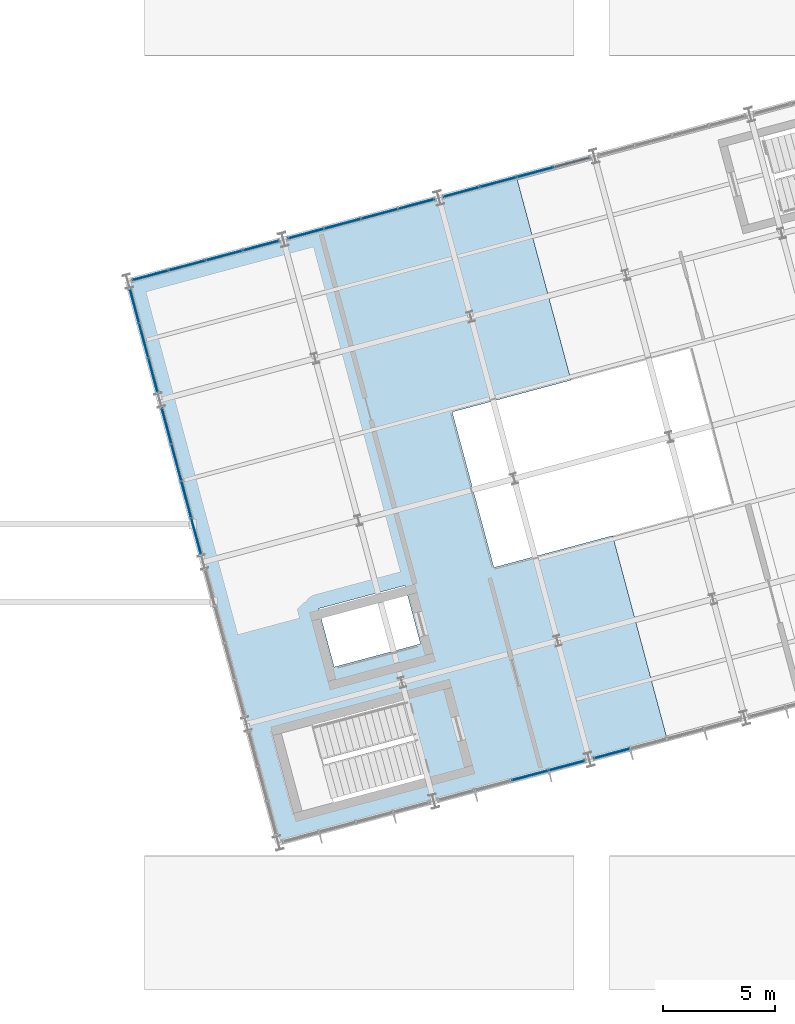
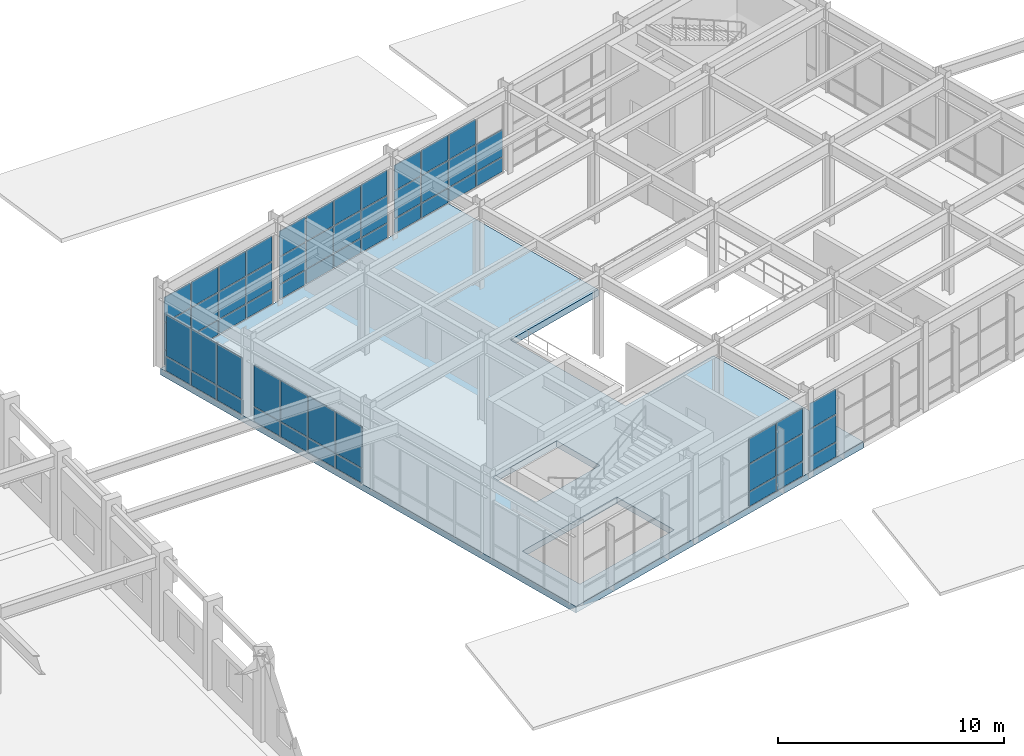
# One storey, part 74 of 104: 58 plates, 1 slab, 7 elements without a shape of their own.
"""IFC4 building model written with IfcOpenShell, lengths in metres."""

from ifc_helpers import new_model, si_unit, direction, frame, origin, origin_2d, place, context, subcontext, project, spatial, polyline, rectangle, outline, extrude, material, layer, layer_set, type_object, element, aggregate, save


model = new_model("IFC4")

# Units and contexts
model_context = context("Model", 3, precision=1e-05, world=origin(), true_north=direction((0.0, 1.0)))
body_context = subcontext(model_context, "Body", "Model", "MODEL_VIEW")
ifc_project = project(units=[si_unit("LENGTHUNIT", "METRE"), si_unit("AREAUNIT", "SQUARE_METRE"), si_unit("VOLUMEUNIT", "CUBIC_METRE"), si_unit("PLANEANGLEUNIT", "RADIAN"), si_unit("MASSUNIT", "GRAM", prefix="KILO")], contexts=[model_context])

# Site, building, storey
site_placement = place(None, origin())
site = spatial("IfcSite", under=ifc_project, at=site_placement, CompositionType="ELEMENT")
building_placement = place(site_placement, origin())
building = spatial("IfcBuilding", under=site, at=building_placement, Name="Ventoquebrada Cableway Terminal", CompositionType="ELEMENT")
storey_placement = place(building_placement, frame((0.0, 0.0, 4.800048828125)))
storey = spatial("IfcBuildingStorey", under=building, at=storey_placement, Name="L01", CompositionType="ELEMENT", Elevation=4.800048828125)

# Curtain wall, plates
ifc_material_1 = material(Name="Anodized thermally-broken aluminium", Category="aluminium")
ifc_layer_1 = layer(ifc_material_1, 0.159912109375)
ifc_layer_set_1 = layer_set([ifc_layer_1], Name="Anodized thermally-broken aluminium")
curtain_wall_type_1 = type_object("IfcCurtainWallType", Name="CW-T37", PredefinedType="USERDEFINED", material=ifc_layer_set_1)
curtain_wall_1_placement = place(storey_placement, origin())
curtain_wall_1 = element("IfcCurtainWall", 1, at=curtain_wall_1_placement, inside=storey, type_object=curtain_wall_type_1, Name="Unitised glazed curtain wall CW-084", ObjectType="UNITISED CURTAIN WALL", PredefinedType="USERDEFINED")
ifc_material_2 = material(Name="Double low-e laminated safety glazing", Category="glass")
ifc_layer_2 = layer(ifc_material_2, 0.031982421875)
ifc_layer_set_2 = layer_set([ifc_layer_2], Name="Double low-e laminated safety glazing")
plate_type_1 = type_object("IfcPlateType", Name="CWP-GL1", PredefinedType="CURTAIN_PANEL", material=ifc_layer_set_2)
plate_1_placement = place(storey_placement, frame((63.239013671875, 72.802001953125, 2.369384765625), z_axis=(0.0, 0.0, 1.0), x_axis=(0.965961954829, 0.258684173892, 0.0)))
plate_1 = element("IfcPlate", 2, at=plate_1_placement, type_object=plate_type_1, Name="Vision glazing panel PN-0891", PredefinedType="CURTAIN_PANEL", context=body_context, shape_type="SweptSolid", body=[
    extrude(rectangle(XDim=1.666015625, YDim=0.031982421875, at=origin_2d()), origin(), (0.0, 0.0, 1.0), 1.35302734375),
])
plate_2_placement = place(storey_placement, frame((64.87890625, 73.239990234375, 0.8740234375), z_axis=(0.0, 0.0, 1.0), x_axis=(0.965961954829, 0.258684173892, 0.0)))
plate_2 = element("IfcPlate", 3, at=plate_2_placement, type_object=plate_type_1, Name="Vision glazing panel PN-0893", PredefinedType="CURTAIN_PANEL", context=body_context, shape_type="SweptSolid", body=[
    extrude(rectangle(XDim=1.631103515625, YDim=0.031982421875, at=origin_2d()), origin(), (0.0, 0.0, 1.0), 1.446044921875),
])

# Curtain wall, plate
ifc_layer_3 = layer(ifc_material_1, 0.159912109375)
ifc_layer_set_3 = layer_set([ifc_layer_3], Name="Anodized thermally-broken aluminium")
curtain_wall_type_2 = type_object("IfcCurtainWallType", Name="CW-T36", PredefinedType="USERDEFINED", material=ifc_layer_set_3)
curtain_wall_2_placement = place(storey_placement, origin())
curtain_wall_2 = element("IfcCurtainWall", 4, at=curtain_wall_2_placement, inside=storey, type_object=curtain_wall_type_2, Name="Unitised glazed curtain wall CW-085", ObjectType="UNITISED CURTAIN WALL", PredefinedType="USERDEFINED")
plate_3_placement = place(storey_placement, frame((66.89501953125, 73.781005859375, 2.369384765625), z_axis=(0.0, 0.0, 1.0), x_axis=(0.96593486019, 0.258785327773, 0.0)))
plate_3 = element("IfcPlate", 5, at=plate_3_placement, type_object=plate_type_1, Name="Vision glazing panel PN-0897", PredefinedType="CURTAIN_PANEL", context=body_context, shape_type="SweptSolid", body=[
    extrude(rectangle(XDim=1.632080078125, YDim=0.031982421875, at=origin_2d()), origin(), (0.0, 0.0, 1.0), 1.35302734375),
])

# Curtain wall, plates
curtain_wall_3_placement = place(storey_placement, origin())
curtain_wall_3 = element("IfcCurtainWall", 6, at=curtain_wall_3_placement, inside=storey, type_object=curtain_wall_type_1, Name="Unitised glazed curtain wall CW-088", ObjectType="UNITISED CURTAIN WALL", PredefinedType="USERDEFINED")
plate_4_placement = place(storey_placement, frame((51.195068359375, 96.491943359375, 2.369384765625), z_axis=(0.0, 0.0, 1.0), x_axis=(-0.965925826289, -0.258819045103, 0.0)))
plate_4 = element("IfcPlate", 7, at=plate_4_placement, type_object=plate_type_1, Name="Vision glazing panel PN-0933", PredefinedType="CURTAIN_PANEL", context=body_context, shape_type="SweptSolid", body=[
    extrude(rectangle(XDim=1.631103515625, YDim=0.031982421875, at=origin_2d()), origin(), (0.0, 0.0, 1.0), 1.35302734375),
])
plate_5_placement = place(storey_placement, frame((49.554931640625, 96.052001953125, 0.8740234375), z_axis=(0.0, 0.0, 1.0), x_axis=(-0.965925826289, -0.258819045103, 0.0)))
plate_5 = element("IfcPlate", 8, at=plate_5_placement, type_object=plate_type_1, Name="Vision glazing panel PN-0935", PredefinedType="CURTAIN_PANEL", context=body_context, shape_type="SweptSolid", body=[
    extrude(rectangle(XDim=1.666015625, YDim=0.031982421875, at=origin_2d()), origin(), (0.0, 0.0, 1.0), 1.446044921875),
])
plate_6_placement = place(storey_placement, frame((47.89697265625, 95.60791015625, 2.369384765625), z_axis=(0.0, 0.0, 1.0), x_axis=(-0.965925826289, -0.258819045103, 0.0)))
plate_6 = element("IfcPlate", 9, at=plate_6_placement, type_object=plate_type_1, Name="Vision glazing panel PN-0939", PredefinedType="CURTAIN_PANEL", context=body_context, shape_type="SweptSolid", body=[
    extrude(rectangle(XDim=1.666015625, YDim=0.031982421875, at=origin_2d()), origin(), (0.0, 0.0, 1.0), 1.35302734375),
])
plate_7_placement = place(storey_placement, frame((46.257080078125, 95.16796875, 0.8740234375), z_axis=(0.0, 0.0, 1.0), x_axis=(-0.965925826289, -0.258819045103, 0.0)))
plate_7 = element("IfcPlate", 10, at=plate_7_placement, type_object=plate_type_1, Name="Vision glazing panel PN-0941", PredefinedType="CURTAIN_PANEL", context=body_context, shape_type="SweptSolid", body=[
    extrude(rectangle(XDim=1.631103515625, YDim=0.031982421875, at=origin_2d()), origin(), (0.0, 0.0, 1.0), 1.446044921875),
])

curtain_wall_4_placement = place(storey_placement, origin())
curtain_wall_4 = element("IfcCurtainWall", 11, at=curtain_wall_4_placement, inside=storey, type_object=curtain_wall_type_2, Name="Unitised glazed curtain wall CW-089", ObjectType="UNITISED CURTAIN WALL", PredefinedType="USERDEFINED")
plate_8_placement = place(storey_placement, frame((58.14990234375, 98.35498046875, 2.369384765625), z_axis=(0.0, 0.0, 1.0), x_axis=(-0.965970984022, -0.258650455301, 0.0)))
plate_8 = element("IfcPlate", 12, at=plate_8_placement, type_object=plate_type_1, Name="Vision glazing panel PN-0945", PredefinedType="CURTAIN_PANEL", context=body_context, shape_type="SweptSolid", body=[
    extrude(rectangle(XDim=1.632080078125, YDim=0.031982421875, at=origin_2d()), origin(), (0.0, 0.0, 1.0), 1.35302734375),
])
plate_9_placement = place(storey_placement, frame((56.509033203125, 97.9150390625, 0.8740234375), z_axis=(0.0, 0.0, 1.0), x_axis=(-0.965970984022, -0.258650455301, 0.0)))
plate_9 = element("IfcPlate", 13, at=plate_9_placement, type_object=plate_type_1, Name="Vision glazing panel PN-0947", PredefinedType="CURTAIN_PANEL", context=body_context, shape_type="SweptSolid", body=[
    extrude(rectangle(XDim=1.6669921875, YDim=0.031982421875, at=origin_2d()), origin(), (0.0, 0.0, 1.0), 1.446044921875),
])
plate_10_placement = place(storey_placement, frame((54.85205078125, 97.471923828125, 2.369384765625), z_axis=(0.0, 0.0, 1.0), x_axis=(-0.965970984022, -0.258650455301, 0.0)))
plate_10 = element("IfcPlate", 14, at=plate_10_placement, type_object=plate_type_1, Name="Vision glazing panel PN-0951", PredefinedType="CURTAIN_PANEL", context=body_context, shape_type="SweptSolid", body=[
    extrude(rectangle(XDim=1.6669921875, YDim=0.031982421875, at=origin_2d()), origin(), (0.0, 0.0, 1.0), 1.35302734375),
])
plate_11_placement = place(storey_placement, frame((53.2119140625, 97.031982421875, 0.8740234375), z_axis=(0.0, 0.0, 1.0), x_axis=(-0.965970984022, -0.258650455301, 0.0)))
plate_11 = element("IfcPlate", 15, at=plate_11_placement, type_object=plate_type_1, Name="Vision glazing panel PN-0953", PredefinedType="CURTAIN_PANEL", context=body_context, shape_type="SweptSolid", body=[
    extrude(rectangle(XDim=1.632080078125, YDim=0.031982421875, at=origin_2d()), origin(), (0.0, 0.0, 1.0), 1.446044921875),
])

curtain_wall_5_placement = place(storey_placement, origin())
curtain_wall_5 = element("IfcCurtainWall", 16, at=curtain_wall_5_placement, inside=storey, type_object=curtain_wall_type_2, Name="Unitised glazed curtain wall CW-090", ObjectType="UNITISED CURTAIN WALL", PredefinedType="USERDEFINED")
plate_12_placement = place(storey_placement, frame((63.464111328125, 99.779052734375, 0.8740234375), z_axis=(0.0, 0.0, 1.0), x_axis=(-0.96593486019, -0.258785327773, 0.0)))
plate_12 = element("IfcPlate", 17, at=plate_12_placement, type_object=plate_type_1, Name="Vision glazing panel PN-0959", PredefinedType="CURTAIN_PANEL", context=body_context, shape_type="SweptSolid", body=[
    extrude(rectangle(XDim=1.6669921875, YDim=0.031982421875, at=origin_2d()), origin(), (0.0, 0.0, 1.0), 1.446044921875),
])
plate_13_placement = place(storey_placement, frame((61.806884765625, 99.3349609375, 2.369384765625), z_axis=(0.0, 0.0, 1.0), x_axis=(-0.96593486019, -0.258785327773, 0.0)))
plate_13 = element("IfcPlate", 18, at=plate_13_placement, type_object=plate_type_1, Name="Vision glazing panel PN-0963", PredefinedType="CURTAIN_PANEL", context=body_context, shape_type="SweptSolid", body=[
    extrude(rectangle(XDim=1.6669921875, YDim=0.031982421875, at=origin_2d()), origin(), (0.0, 0.0, 1.0), 1.35302734375),
])
plate_14_placement = place(storey_placement, frame((60.166015625, 98.89501953125, 0.8740234375), z_axis=(0.0, 0.0, 1.0), x_axis=(-0.96593486019, -0.258785327773, 0.0)))
plate_14 = element("IfcPlate", 19, at=plate_14_placement, type_object=plate_type_1, Name="Vision glazing panel PN-0965", PredefinedType="CURTAIN_PANEL", context=body_context, shape_type="SweptSolid", body=[
    extrude(rectangle(XDim=1.632080078125, YDim=0.031982421875, at=origin_2d()), origin(), (0.0, 0.0, 1.0), 1.446044921875),
])

ifc_layer_4 = layer(ifc_material_1, 0.159912109375)
ifc_layer_set_4 = layer_set([ifc_layer_4], Name="Anodized thermally-broken aluminium")
curtain_wall_type_3 = type_object("IfcCurtainWallType", Name="CW-T39", PredefinedType="USERDEFINED", material=ifc_layer_set_4)
curtain_wall_6_placement = place(storey_placement, origin())
curtain_wall_6 = element("IfcCurtainWall", 20, at=curtain_wall_6_placement, inside=storey, type_object=curtain_wall_type_3, Name="Unitised glazed curtain wall CW-095", ObjectType="UNITISED CURTAIN WALL", PredefinedType="USERDEFINED")
plate_15_placement = place(storey_placement, frame((47.419921875, 86.79296875, 0.8740234375), z_axis=(0.0, 0.0, 1.0), x_axis=(0.258701033069, -0.965957439792, 0.0)))
plate_15 = element("IfcPlate", 21, at=plate_15_placement, type_object=plate_type_1, Name="Vision glazing panel PN-1008", PredefinedType="CURTAIN_PANEL", context=body_context, shape_type="SweptSolid", body=[
    extrude(rectangle(XDim=1.66796875, YDim=0.031982421875, at=origin_2d()), origin(), (0.0, 0.0, 1.0), 2.22607421875),
])
plate_16_placement = place(storey_placement, frame((48.304931640625, 83.491943359375, 0.8740234375), z_axis=(0.0, 0.0, 1.0), x_axis=(0.258701033069, -0.965957439792, 0.0)))
plate_16 = element("IfcPlate", 22, at=plate_16_placement, type_object=plate_type_1, Name="Vision glazing panel PN-1012", PredefinedType="CURTAIN_PANEL", context=body_context, shape_type="SweptSolid", body=[
    extrude(rectangle(XDim=1.633056640625, YDim=0.031982421875, at=origin_2d()), origin(), (0.0, 0.0, 1.0), 2.22607421875),
])

# Curtain wall, plate
ifc_layer_5 = layer(ifc_material_1, 0.159912109375)
ifc_layer_set_5 = layer_set([ifc_layer_5], Name="Anodized thermally-broken aluminium")
curtain_wall_type_4 = type_object("IfcCurtainWallType", Name="CW-T38", PredefinedType="USERDEFINED", material=ifc_layer_set_5)
curtain_wall_7_placement = place(storey_placement, origin())
curtain_wall_7 = element("IfcCurtainWall", 23, at=curtain_wall_7_placement, inside=storey, type_object=curtain_wall_type_4, Name="Unitised glazed curtain wall CW-096", ObjectType="UNITISED CURTAIN WALL", PredefinedType="USERDEFINED")
plate_17_placement = place(storey_placement, frame((45.9599609375, 92.241943359375, 0.8740234375), z_axis=(0.0, 0.0, 1.0), x_axis=(0.258650455301, -0.965970984022, 0.0)))
plate_17 = element("IfcPlate", 24, at=plate_17_placement, type_object=plate_type_1, Name="Vision glazing panel PN-1016", PredefinedType="CURTAIN_PANEL", context=body_context, shape_type="SweptSolid", body=[
    extrude(rectangle(XDim=1.573974609375, YDim=0.031982421875, at=origin_2d()), origin(), (0.0, 0.0, 1.0), 2.22607421875),
])

# Plate
ifc_layer_6 = layer(ifc_material_2, 0.0380859375)
ifc_layer_set_6 = layer_set([ifc_layer_6], Name="Double low-e laminated safety glazing")
plate_type_2 = type_object("IfcPlateType", Name="CWP-GL2", PredefinedType="CURTAIN_PANEL", material=ifc_layer_set_6)
plate_18_placement = place(storey_placement, frame((63.239013671875, 72.802001953125, 0.8740234375), z_axis=(0.0, 0.0, 1.0), x_axis=(0.965961954829, 0.258684173892, 0.0)))
plate_18 = element("IfcPlate", 25, at=plate_18_placement, type_object=plate_type_2, Name="Vision glazing panel PN-0890", PredefinedType="CURTAIN_PANEL", context=body_context, shape_type="SweptSolid", body=[
    extrude(rectangle(XDim=1.666015625, YDim=0.0380859375, at=origin_2d()), origin(), (0.0, 0.0, 1.0), 1.446044921875),
])

plate_19_placement = place(storey_placement, frame((64.87890625, 73.239990234375, 2.369384765625), z_axis=(0.0, 0.0, 1.0), x_axis=(0.965961954829, 0.258684173892, 0.0)))
plate_19 = element("IfcPlate", 26, at=plate_19_placement, type_object=plate_type_2, Name="Vision glazing panel PN-0894", PredefinedType="CURTAIN_PANEL", context=body_context, shape_type="SweptSolid", body=[
    extrude(rectangle(XDim=1.631103515625, YDim=0.0380859375, at=origin_2d()), origin(), (0.0, 0.0, 1.0), 1.35302734375),
])

plate_20_placement = place(storey_placement, frame((66.89501953125, 73.781005859375, 0.8740234375), z_axis=(0.0, 0.0, 1.0), x_axis=(0.96593486019, 0.258785327773, 0.0)))
plate_20 = element("IfcPlate", 27, at=plate_20_placement, type_object=plate_type_2, Name="Vision glazing panel PN-0896", PredefinedType="CURTAIN_PANEL", context=body_context, shape_type="SweptSolid", body=[
    extrude(rectangle(XDim=1.632080078125, YDim=0.0380859375, at=origin_2d()), origin(), (0.0, 0.0, 1.0), 1.446044921875),
])

plate_21_placement = place(storey_placement, frame((51.195068359375, 96.491943359375, 0.8740234375), z_axis=(0.0, 0.0, 1.0), x_axis=(-0.965925826289, -0.258819045103, 0.0)))
plate_21 = element("IfcPlate", 28, at=plate_21_placement, type_object=plate_type_2, Name="Vision glazing panel PN-0932", PredefinedType="CURTAIN_PANEL", context=body_context, shape_type="SweptSolid", body=[
    extrude(rectangle(XDim=1.631103515625, YDim=0.0380859375, at=origin_2d()), origin(), (0.0, 0.0, 1.0), 1.446044921875),
])

plate_22_placement = place(storey_placement, frame((49.554931640625, 96.052001953125, 2.369384765625), z_axis=(0.0, 0.0, 1.0), x_axis=(-0.965925826289, -0.258819045103, 0.0)))
plate_22 = element("IfcPlate", 29, at=plate_22_placement, type_object=plate_type_2, Name="Vision glazing panel PN-0936", PredefinedType="CURTAIN_PANEL", context=body_context, shape_type="SweptSolid", body=[
    extrude(rectangle(XDim=1.666015625, YDim=0.0380859375, at=origin_2d()), origin(), (0.0, 0.0, 1.0), 1.35302734375),
])

plate_23_placement = place(storey_placement, frame((47.89697265625, 95.60791015625, 0.8740234375), z_axis=(0.0, 0.0, 1.0), x_axis=(-0.965925826289, -0.258819045103, 0.0)))
plate_23 = element("IfcPlate", 30, at=plate_23_placement, type_object=plate_type_2, Name="Vision glazing panel PN-0938", PredefinedType="CURTAIN_PANEL", context=body_context, shape_type="SweptSolid", body=[
    extrude(rectangle(XDim=1.666015625, YDim=0.0380859375, at=origin_2d()), origin(), (0.0, 0.0, 1.0), 1.446044921875),
])

plate_24_placement = place(storey_placement, frame((46.257080078125, 95.16796875, 2.369384765625), z_axis=(0.0, 0.0, 1.0), x_axis=(-0.965925826289, -0.258819045103, 0.0)))
plate_24 = element("IfcPlate", 31, at=plate_24_placement, type_object=plate_type_2, Name="Vision glazing panel PN-0942", PredefinedType="CURTAIN_PANEL", context=body_context, shape_type="SweptSolid", body=[
    extrude(rectangle(XDim=1.631103515625, YDim=0.0380859375, at=origin_2d()), origin(), (0.0, 0.0, 1.0), 1.35302734375),
])

plate_25_placement = place(storey_placement, frame((58.14990234375, 98.35498046875, 0.8740234375), z_axis=(0.0, 0.0, 1.0), x_axis=(-0.965970984022, -0.258650455301, 0.0)))
plate_25 = element("IfcPlate", 32, at=plate_25_placement, type_object=plate_type_2, Name="Vision glazing panel PN-0944", PredefinedType="CURTAIN_PANEL", context=body_context, shape_type="SweptSolid", body=[
    extrude(rectangle(XDim=1.632080078125, YDim=0.0380859375, at=origin_2d()), origin(), (0.0, 0.0, 1.0), 1.446044921875),
])

plate_26_placement = place(storey_placement, frame((56.509033203125, 97.9150390625, 2.369384765625), z_axis=(0.0, 0.0, 1.0), x_axis=(-0.965970984022, -0.258650455301, 0.0)))
plate_26 = element("IfcPlate", 33, at=plate_26_placement, type_object=plate_type_2, Name="Vision glazing panel PN-0948", PredefinedType="CURTAIN_PANEL", context=body_context, shape_type="SweptSolid", body=[
    extrude(rectangle(XDim=1.6669921875, YDim=0.0380859375, at=origin_2d()), origin(), (0.0, 0.0, 1.0), 1.35302734375),
])

plate_27_placement = place(storey_placement, frame((54.85205078125, 97.471923828125, 0.8740234375), z_axis=(0.0, 0.0, 1.0), x_axis=(-0.965970984022, -0.258650455301, 0.0)))
plate_27 = element("IfcPlate", 34, at=plate_27_placement, type_object=plate_type_2, Name="Vision glazing panel PN-0950", PredefinedType="CURTAIN_PANEL", context=body_context, shape_type="SweptSolid", body=[
    extrude(rectangle(XDim=1.6669921875, YDim=0.0380859375, at=origin_2d()), origin(), (0.0, 0.0, 1.0), 1.446044921875),
])

plate_28_placement = place(storey_placement, frame((53.2119140625, 97.031982421875, 2.369384765625), z_axis=(0.0, 0.0, 1.0), x_axis=(-0.965970984022, -0.258650455301, 0.0)))
plate_28 = element("IfcPlate", 35, at=plate_28_placement, type_object=plate_type_2, Name="Vision glazing panel PN-0954", PredefinedType="CURTAIN_PANEL", context=body_context, shape_type="SweptSolid", body=[
    extrude(rectangle(XDim=1.632080078125, YDim=0.0380859375, at=origin_2d()), origin(), (0.0, 0.0, 1.0), 1.35302734375),
])

plate_29_placement = place(storey_placement, frame((65.10498046875, 100.218994140625, 0.8740234375), z_axis=(0.0, 0.0, 1.0), x_axis=(-0.96593486019, -0.258785327773, 0.0)))
plate_29 = element("IfcPlate", 36, at=plate_29_placement, type_object=plate_type_2, Name="Vision glazing panel PN-0956", PredefinedType="CURTAIN_PANEL", context=body_context, shape_type="SweptSolid", body=[
    extrude(rectangle(XDim=1.632080078125, YDim=0.0380859375, at=origin_2d()), origin(), (0.0, 0.0, 1.0), 1.446044921875),
])

plate_30_placement = place(storey_placement, frame((63.464111328125, 99.779052734375, 2.369384765625), z_axis=(0.0, 0.0, 1.0), x_axis=(-0.96593486019, -0.258785327773, 0.0)))
plate_30 = element("IfcPlate", 37, at=plate_30_placement, type_object=plate_type_2, Name="Vision glazing panel PN-0960", PredefinedType="CURTAIN_PANEL", context=body_context, shape_type="SweptSolid", body=[
    extrude(rectangle(XDim=1.6669921875, YDim=0.0380859375, at=origin_2d()), origin(), (0.0, 0.0, 1.0), 1.35302734375),
])

plate_31_placement = place(storey_placement, frame((61.806884765625, 99.3349609375, 0.8740234375), z_axis=(0.0, 0.0, 1.0), x_axis=(-0.96593486019, -0.258785327773, 0.0)))
plate_31 = element("IfcPlate", 38, at=plate_31_placement, type_object=plate_type_2, Name="Vision glazing panel PN-0962", PredefinedType="CURTAIN_PANEL", context=body_context, shape_type="SweptSolid", body=[
    extrude(rectangle(XDim=1.6669921875, YDim=0.0380859375, at=origin_2d()), origin(), (0.0, 0.0, 1.0), 1.446044921875),
])

plate_32_placement = place(storey_placement, frame((60.166015625, 98.89501953125, 2.369384765625), z_axis=(0.0, 0.0, 1.0), x_axis=(-0.96593486019, -0.258785327773, 0.0)))
plate_32 = element("IfcPlate", 39, at=plate_32_placement, type_object=plate_type_2, Name="Vision glazing panel PN-0966", PredefinedType="CURTAIN_PANEL", context=body_context, shape_type="SweptSolid", body=[
    extrude(rectangle(XDim=1.632080078125, YDim=0.0380859375, at=origin_2d()), origin(), (0.0, 0.0, 1.0), 1.35302734375),
])

plate_33_placement = place(storey_placement, frame((46.98095703125, 88.43505859375, 0.8740234375), z_axis=(0.0, 0.0, 1.0), x_axis=(0.258701033069, -0.965957439792, 0.0)))
plate_33 = element("IfcPlate", 40, at=plate_33_placement, type_object=plate_type_2, Name="Vision glazing panel PN-1006", PredefinedType="CURTAIN_PANEL", context=body_context, shape_type="SweptSolid", body=[
    extrude(rectangle(XDim=1.633056640625, YDim=0.0380859375, at=origin_2d()), origin(), (0.0, 0.0, 1.0), 2.22607421875),
])

plate_34_placement = place(storey_placement, frame((47.864990234375, 85.134033203125, 0.8740234375), z_axis=(0.0, 0.0, 1.0), x_axis=(0.258701033069, -0.965957439792, 0.0)))
plate_34 = element("IfcPlate", 41, at=plate_34_placement, type_object=plate_type_2, Name="Vision glazing panel PN-1010", PredefinedType="CURTAIN_PANEL", context=body_context, shape_type="SweptSolid", body=[
    extrude(rectangle(XDim=1.66796875, YDim=0.0380859375, at=origin_2d()), origin(), (0.0, 0.0, 1.0), 2.22607421875),
])

plate_35_placement = place(storey_placement, frame((45.5458984375, 93.79296875, 0.8740234375), z_axis=(0.0, 0.0, 1.0), x_axis=(0.258650455301, -0.965970984022, 0.0)))
plate_35 = element("IfcPlate", 42, at=plate_35_placement, type_object=plate_type_2, Name="Vision glazing panel PN-1014", PredefinedType="CURTAIN_PANEL", context=body_context, shape_type="SweptSolid", body=[
    extrude(rectangle(XDim=1.5390625, YDim=0.0380859375, at=origin_2d()), origin(), (0.0, 0.0, 1.0), 2.22607421875),
])

plate_36_placement = place(storey_placement, frame((46.3759765625, 90.69091796875, 0.8740234375), z_axis=(0.0, 0.0, 1.0), x_axis=(0.258650455301, -0.965970984022, 0.0)))
plate_36 = element("IfcPlate", 43, at=plate_36_placement, type_object=plate_type_2, Name="Vision glazing panel PN-1018", PredefinedType="CURTAIN_PANEL", context=body_context, shape_type="SweptSolid", body=[
    extrude(rectangle(XDim=1.5390625, YDim=0.0380859375, at=origin_2d()), origin(), (0.0, 0.0, 1.0), 2.22607421875),
])

ifc_material_3 = material(Name="Insulated aluminium spandrel cassette", Category="aluminium")
ifc_layer_7 = layer(ifc_material_3, 0.044921875)
ifc_layer_set_7 = layer_set([ifc_layer_7], Name="Insulated aluminium spandrel cassette")
plate_type_3 = type_object("IfcPlateType", Name="CWP-SP1", PredefinedType="CURTAIN_PANEL", material=ifc_layer_set_7)
plate_37_placement = place(storey_placement, frame((63.239013671875, 72.802001953125, 0.058837890625), z_axis=(0.0, 0.0, 1.0), x_axis=(0.965961954829, 0.258684173892, 0.0)))
plate_37 = element("IfcPlate", 44, at=plate_37_placement, type_object=plate_type_3, Name="Insulated spandrel panel PN-0889", PredefinedType="CURTAIN_PANEL", context=body_context, shape_type="SweptSolid", body=[
    extrude(rectangle(XDim=1.666015625, YDim=0.044921875, at=origin_2d()), origin(), (0.0, 0.0, 1.0), 0.76611328125),
])

plate_38_placement = place(storey_placement, frame((64.87890625, 73.239990234375, 0.058837890625), z_axis=(0.0, 0.0, 1.0), x_axis=(0.965961954829, 0.258684173892, 0.0)))
plate_38 = element("IfcPlate", 45, at=plate_38_placement, type_object=plate_type_3, Name="Insulated spandrel panel PN-0892", PredefinedType="CURTAIN_PANEL", context=body_context, shape_type="SweptSolid", body=[
    extrude(rectangle(XDim=1.631103515625, YDim=0.044921875, at=origin_2d()), origin(), (0.0, 0.0, 1.0), 0.76611328125),
])

aggregate(curtain_wall_1, [plate_37, plate_18, plate_1, plate_38, plate_2, plate_19])

plate_39_placement = place(storey_placement, frame((66.89501953125, 73.781005859375, 0.058837890625), z_axis=(0.0, 0.0, 1.0), x_axis=(0.96593486019, 0.258785327773, 0.0)))
plate_39 = element("IfcPlate", 46, at=plate_39_placement, type_object=plate_type_3, Name="Insulated spandrel panel PN-0895", PredefinedType="CURTAIN_PANEL", context=body_context, shape_type="SweptSolid", body=[
    extrude(rectangle(XDim=1.632080078125, YDim=0.044921875, at=origin_2d()), origin(), (0.0, 0.0, 1.0), 0.76611328125),
])

aggregate(curtain_wall_2, [plate_39, plate_20, plate_3])

plate_40_placement = place(storey_placement, frame((51.195068359375, 96.491943359375, 0.058837890625), z_axis=(0.0, 0.0, 1.0), x_axis=(-0.965925826289, -0.258819045103, 0.0)))
plate_40 = element("IfcPlate", 47, at=plate_40_placement, type_object=plate_type_3, Name="Insulated spandrel panel PN-0931", PredefinedType="CURTAIN_PANEL", context=body_context, shape_type="SweptSolid", body=[
    extrude(rectangle(XDim=1.631103515625, YDim=0.044921875, at=origin_2d()), origin(), (0.0, 0.0, 1.0), 0.76611328125),
])

plate_41_placement = place(storey_placement, frame((49.554931640625, 96.052001953125, 0.058837890625), z_axis=(0.0, 0.0, 1.0), x_axis=(-0.965925826289, -0.258819045103, 0.0)))
plate_41 = element("IfcPlate", 48, at=plate_41_placement, type_object=plate_type_3, Name="Insulated spandrel panel PN-0934", PredefinedType="CURTAIN_PANEL", context=body_context, shape_type="SweptSolid", body=[
    extrude(rectangle(XDim=1.666015625, YDim=0.044921875, at=origin_2d()), origin(), (0.0, 0.0, 1.0), 0.76611328125),
])

plate_42_placement = place(storey_placement, frame((47.89697265625, 95.60791015625, 0.058837890625), z_axis=(0.0, 0.0, 1.0), x_axis=(-0.965925826289, -0.258819045103, 0.0)))
plate_42 = element("IfcPlate", 49, at=plate_42_placement, type_object=plate_type_3, Name="Insulated spandrel panel PN-0937", PredefinedType="CURTAIN_PANEL", context=body_context, shape_type="SweptSolid", body=[
    extrude(rectangle(XDim=1.666015625, YDim=0.044921875, at=origin_2d()), origin(), (0.0, 0.0, 1.0), 0.76611328125),
])

plate_43_placement = place(storey_placement, frame((46.257080078125, 95.16796875, 0.058837890625), z_axis=(0.0, 0.0, 1.0), x_axis=(-0.965925826289, -0.258819045103, 0.0)))
plate_43 = element("IfcPlate", 50, at=plate_43_placement, type_object=plate_type_3, Name="Insulated spandrel panel PN-0940", PredefinedType="CURTAIN_PANEL", context=body_context, shape_type="SweptSolid", body=[
    extrude(rectangle(XDim=1.631103515625, YDim=0.044921875, at=origin_2d()), origin(), (0.0, 0.0, 1.0), 0.76611328125),
])

aggregate(curtain_wall_3, [plate_40, plate_21, plate_4, plate_41, plate_5, plate_22, plate_42, plate_23, plate_6, plate_43, plate_7, plate_24])

plate_44_placement = place(storey_placement, frame((58.14990234375, 98.35498046875, 0.058837890625), z_axis=(0.0, 0.0, 1.0), x_axis=(-0.965970984022, -0.258650455301, 0.0)))
plate_44 = element("IfcPlate", 51, at=plate_44_placement, type_object=plate_type_3, Name="Insulated spandrel panel PN-0943", PredefinedType="CURTAIN_PANEL", context=body_context, shape_type="SweptSolid", body=[
    extrude(rectangle(XDim=1.632080078125, YDim=0.044921875, at=origin_2d()), origin(), (0.0, 0.0, 1.0), 0.76611328125),
])

plate_45_placement = place(storey_placement, frame((56.509033203125, 97.9150390625, 0.058837890625), z_axis=(0.0, 0.0, 1.0), x_axis=(-0.965970984022, -0.258650455301, 0.0)))
plate_45 = element("IfcPlate", 52, at=plate_45_placement, type_object=plate_type_3, Name="Insulated spandrel panel PN-0946", PredefinedType="CURTAIN_PANEL", context=body_context, shape_type="SweptSolid", body=[
    extrude(rectangle(XDim=1.6669921875, YDim=0.044921875, at=origin_2d()), origin(), (0.0, 0.0, 1.0), 0.76611328125),
])

plate_46_placement = place(storey_placement, frame((54.85205078125, 97.471923828125, 0.058837890625), z_axis=(0.0, 0.0, 1.0), x_axis=(-0.965970984022, -0.258650455301, 0.0)))
plate_46 = element("IfcPlate", 53, at=plate_46_placement, type_object=plate_type_3, Name="Insulated spandrel panel PN-0949", PredefinedType="CURTAIN_PANEL", context=body_context, shape_type="SweptSolid", body=[
    extrude(rectangle(XDim=1.6669921875, YDim=0.044921875, at=origin_2d()), origin(), (0.0, 0.0, 1.0), 0.76611328125),
])

plate_47_placement = place(storey_placement, frame((53.2119140625, 97.031982421875, 0.058837890625), z_axis=(0.0, 0.0, 1.0), x_axis=(-0.965970984022, -0.258650455301, 0.0)))
plate_47 = element("IfcPlate", 54, at=plate_47_placement, type_object=plate_type_3, Name="Insulated spandrel panel PN-0952", PredefinedType="CURTAIN_PANEL", context=body_context, shape_type="SweptSolid", body=[
    extrude(rectangle(XDim=1.632080078125, YDim=0.044921875, at=origin_2d()), origin(), (0.0, 0.0, 1.0), 0.76611328125),
])

aggregate(curtain_wall_4, [plate_44, plate_25, plate_8, plate_45, plate_9, plate_26, plate_46, plate_27, plate_10, plate_47, plate_11, plate_28])

plate_48_placement = place(storey_placement, frame((65.10498046875, 100.218994140625, 0.058837890625), z_axis=(0.0, 0.0, 1.0), x_axis=(-0.96593486019, -0.258785327773, 0.0)))
plate_48 = element("IfcPlate", 55, at=plate_48_placement, type_object=plate_type_3, Name="Insulated spandrel panel PN-0955", PredefinedType="CURTAIN_PANEL", context=body_context, shape_type="SweptSolid", body=[
    extrude(rectangle(XDim=1.632080078125, YDim=0.044921875, at=origin_2d()), origin(), (0.0, 0.0, 1.0), 0.76611328125),
])

plate_49_placement = place(storey_placement, frame((63.464111328125, 99.779052734375, 0.058837890625), z_axis=(0.0, 0.0, 1.0), x_axis=(-0.96593486019, -0.258785327773, 0.0)))
plate_49 = element("IfcPlate", 56, at=plate_49_placement, type_object=plate_type_3, Name="Insulated spandrel panel PN-0958", PredefinedType="CURTAIN_PANEL", context=body_context, shape_type="SweptSolid", body=[
    extrude(rectangle(XDim=1.6669921875, YDim=0.044921875, at=origin_2d()), origin(), (0.0, 0.0, 1.0), 0.76611328125),
])

plate_50_placement = place(storey_placement, frame((61.806884765625, 99.3349609375, 0.058837890625), z_axis=(0.0, 0.0, 1.0), x_axis=(-0.96593486019, -0.258785327773, 0.0)))
plate_50 = element("IfcPlate", 57, at=plate_50_placement, type_object=plate_type_3, Name="Insulated spandrel panel PN-0961", PredefinedType="CURTAIN_PANEL", context=body_context, shape_type="SweptSolid", body=[
    extrude(rectangle(XDim=1.6669921875, YDim=0.044921875, at=origin_2d()), origin(), (0.0, 0.0, 1.0), 0.76611328125),
])

plate_51_placement = place(storey_placement, frame((60.166015625, 98.89501953125, 0.058837890625), z_axis=(0.0, 0.0, 1.0), x_axis=(-0.96593486019, -0.258785327773, 0.0)))
plate_51 = element("IfcPlate", 58, at=plate_51_placement, type_object=plate_type_3, Name="Insulated spandrel panel PN-0964", PredefinedType="CURTAIN_PANEL", context=body_context, shape_type="SweptSolid", body=[
    extrude(rectangle(XDim=1.632080078125, YDim=0.044921875, at=origin_2d()), origin(), (0.0, 0.0, 1.0), 0.76611328125),
])

aggregate(curtain_wall_5, [plate_48, plate_29, plate_49, plate_12, plate_30, plate_50, plate_31, plate_13, plate_51, plate_14, plate_32])

plate_52_placement = place(storey_placement, frame((46.98095703125, 88.43505859375, 0.058837890625), z_axis=(0.0, 0.0, 1.0), x_axis=(0.258701033069, -0.965957439792, 0.0)))
plate_52 = element("IfcPlate", 59, at=plate_52_placement, type_object=plate_type_3, Name="Insulated spandrel panel PN-1005", PredefinedType="CURTAIN_PANEL", context=body_context, shape_type="SweptSolid", body=[
    extrude(rectangle(XDim=1.633056640625, YDim=0.044921875, at=origin_2d()), origin(), (0.0, 0.0, 1.0), 0.76611328125),
])

plate_53_placement = place(storey_placement, frame((47.419921875, 86.79296875, 0.058837890625), z_axis=(0.0, 0.0, 1.0), x_axis=(0.258701033069, -0.965957439792, 0.0)))
plate_53 = element("IfcPlate", 60, at=plate_53_placement, type_object=plate_type_3, Name="Insulated spandrel panel PN-1007", PredefinedType="CURTAIN_PANEL", context=body_context, shape_type="SweptSolid", body=[
    extrude(rectangle(XDim=1.66796875, YDim=0.044921875, at=origin_2d()), origin(), (0.0, 0.0, 1.0), 0.76611328125),
])

plate_54_placement = place(storey_placement, frame((47.864990234375, 85.134033203125, 0.058837890625), z_axis=(0.0, 0.0, 1.0), x_axis=(0.258701033069, -0.965957439792, 0.0)))
plate_54 = element("IfcPlate", 61, at=plate_54_placement, type_object=plate_type_3, Name="Insulated spandrel panel PN-1009", PredefinedType="CURTAIN_PANEL", context=body_context, shape_type="SweptSolid", body=[
    extrude(rectangle(XDim=1.66796875, YDim=0.044921875, at=origin_2d()), origin(), (0.0, 0.0, 1.0), 0.76611328125),
])

plate_55_placement = place(storey_placement, frame((48.304931640625, 83.491943359375, 0.058837890625), z_axis=(0.0, 0.0, 1.0), x_axis=(0.258701033069, -0.965957439792, 0.0)))
plate_55 = element("IfcPlate", 62, at=plate_55_placement, type_object=plate_type_3, Name="Insulated spandrel panel PN-1011", PredefinedType="CURTAIN_PANEL", context=body_context, shape_type="SweptSolid", body=[
    extrude(rectangle(XDim=1.633056640625, YDim=0.044921875, at=origin_2d()), origin(), (0.0, 0.0, 1.0), 0.76611328125),
])

aggregate(curtain_wall_6, [plate_52, plate_33, plate_53, plate_15, plate_54, plate_34, plate_55, plate_16])

plate_56_placement = place(storey_placement, frame((45.5458984375, 93.79296875, 0.058837890625), z_axis=(0.0, 0.0, 1.0), x_axis=(0.258650455301, -0.965970984022, 0.0)))
plate_56 = element("IfcPlate", 63, at=plate_56_placement, type_object=plate_type_3, Name="Insulated spandrel panel PN-1013", PredefinedType="CURTAIN_PANEL", context=body_context, shape_type="SweptSolid", body=[
    extrude(rectangle(XDim=1.5390625, YDim=0.044921875, at=origin_2d()), origin(), (0.0, 0.0, 1.0), 0.76611328125),
])

plate_57_placement = place(storey_placement, frame((45.9599609375, 92.241943359375, 0.058837890625), z_axis=(0.0, 0.0, 1.0), x_axis=(0.258650455301, -0.965970984022, 0.0)))
plate_57 = element("IfcPlate", 64, at=plate_57_placement, type_object=plate_type_3, Name="Insulated spandrel panel PN-1015", PredefinedType="CURTAIN_PANEL", context=body_context, shape_type="SweptSolid", body=[
    extrude(rectangle(XDim=1.573974609375, YDim=0.044921875, at=origin_2d()), origin(), (0.0, 0.0, 1.0), 0.76611328125),
])

plate_58_placement = place(storey_placement, frame((46.3759765625, 90.69091796875, 0.058837890625), z_axis=(0.0, 0.0, 1.0), x_axis=(0.258650455301, -0.965970984022, 0.0)))
plate_58 = element("IfcPlate", 65, at=plate_58_placement, type_object=plate_type_3, Name="Insulated spandrel panel PN-1017", PredefinedType="CURTAIN_PANEL", context=body_context, shape_type="SweptSolid", body=[
    extrude(rectangle(XDim=1.5390625, YDim=0.044921875, at=origin_2d()), origin(), (0.0, 0.0, 1.0), 0.76611328125),
])

aggregate(curtain_wall_7, [plate_56, plate_35, plate_57, plate_17, plate_58, plate_36])

# Slab
ifc_material_4 = material(Name="Concrete C40/50", Category="concrete")
ifc_layer_8 = layer(ifc_material_4, 0.35009765625)
ifc_layer_set_8 = layer_set([ifc_layer_8], Name="Concrete C40/50")
slab_type = type_object("IfcSlabType", Name="SL-FL2", PredefinedType="FLOOR", material=ifc_layer_set_8)
slab_placement = place(storey_placement, frame((0.0, 0.0, -0.35009765625)))
element("IfcSlab", 66, at=slab_placement, inside=storey, type_object=slab_type, Name="Splayed boarding deck slab SL-071", PredefinedType="FLOOR", context=body_context, shape_type="SweptSolid", body=[
    extrude(outline(polyline([(62.635009765625, 99.556884765625), (45.2490234375, 94.89794921875), (51.97802734375, 69.783935546875), (69.364990234375, 74.443115234375), (66.931884765625, 83.52294921875), (61.618896484375, 82.09912109375), (59.756103515625, 89.053955078125), (65.068115234375, 90.47705078125), (62.635009765625, 99.556884765625)]), holes=[polyline([(57.77392578125, 76.202880859375), (58.7060546875, 72.72607421875), (52.9970703125, 71.196044921875), (52.06591796875, 74.673095703125), (57.77392578125, 76.202880859375)]), polyline([(58.341064453125, 78.68408203125), (54.47802734375, 77.64892578125), (53.779052734375, 80.257080078125), (57.64208984375, 81.2919921875), (58.341064453125, 78.68408203125)])]), origin(), (0.0, 0.0, 1.0), 0.35009765625),
])

save(model, "model.ifc")
